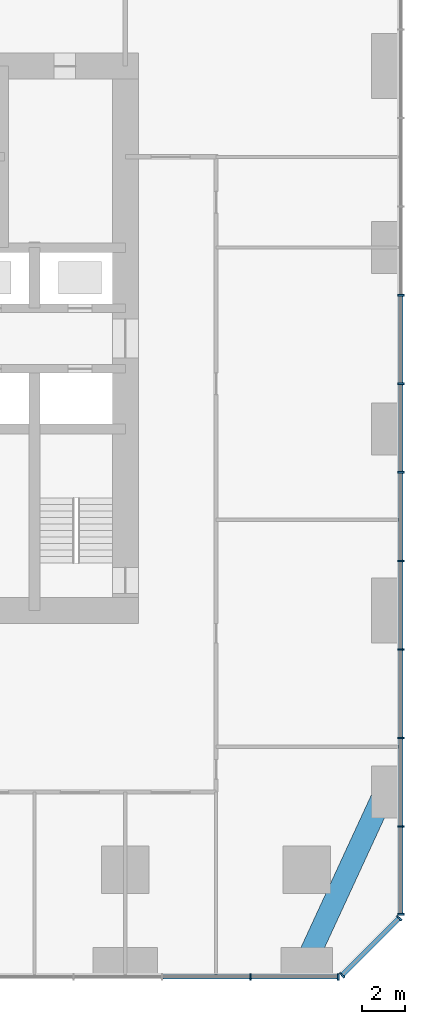
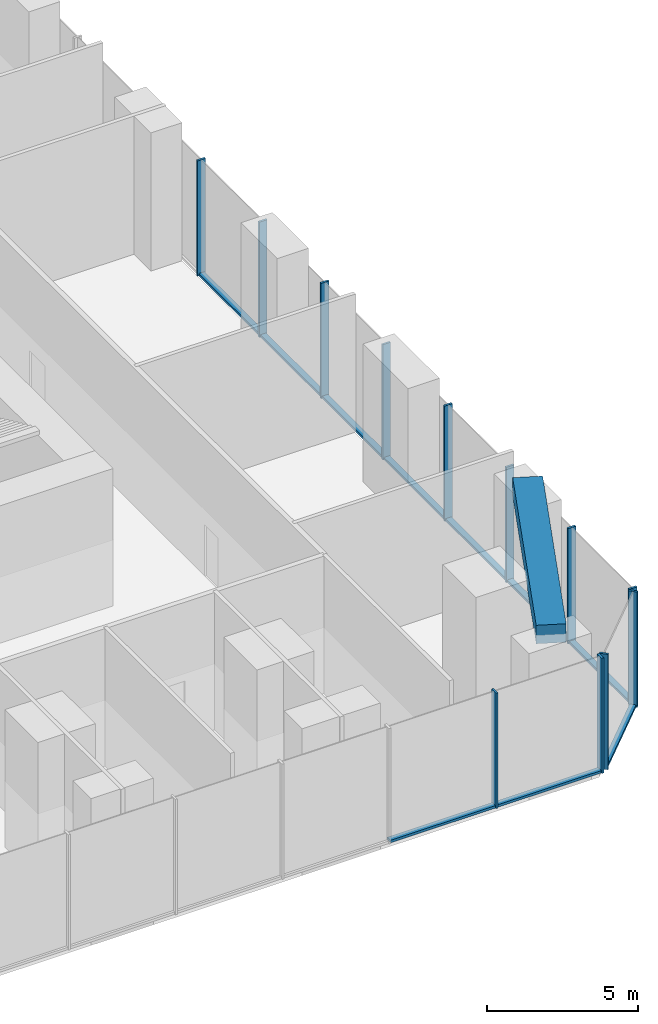
# One storey, part 3 of 13: 22 members, 1 beam, 3 elements without a shape of their own.
"""IFC4 building model written with IfcOpenShell, lengths in metres."""

from ifc_helpers import new_model, si_unit, direction, frame, origin, origin_2d, place, context, subcontext, project, spatial, rectangle, extrude, material, material_profile, profile_set, type_object, element, aggregate, save


model = new_model("IFC4")

# Units and contexts
model_context = context("Model", 3, precision=1e-05, world=origin(), true_north=direction((0.0, 1.0)))
body_context = subcontext(model_context, "Body", "Model", "MODEL_VIEW")
ifc_project = project(units=[si_unit("LENGTHUNIT", "METRE"), si_unit("AREAUNIT", "SQUARE_METRE"), si_unit("VOLUMEUNIT", "CUBIC_METRE"), si_unit("PLANEANGLEUNIT", "RADIAN"), si_unit("MASSUNIT", "GRAM", prefix="KILO")], contexts=[model_context])

# Site, building, storey
site_placement = place(None, origin())
site = spatial("IfcSite", under=ifc_project, at=site_placement, CompositionType="ELEMENT")
building_placement = place(site_placement, origin())
building = spatial("IfcBuilding", under=site, at=building_placement, Name="Dunama Terrace Hotel", CompositionType="ELEMENT")
storey_placement = place(building_placement, frame((0.0, 0.0, 147.60009765625)))
storey = spatial("IfcBuildingStorey", under=building, at=storey_placement, Name="L38", CompositionType="ELEMENT", Elevation=147.60009765625)

# Curtain wall, members
ifc_material_1 = material(Name="Aluminium curtain wall system", Category="aluminium")
curtain_wall_type = type_object("IfcCurtainWallType", Name="Sky lobby glazing CW-F", PredefinedType="NOTDEFINED", material=ifc_material_1)
curtain_wall_1_placement = place(storey_placement, origin())
curtain_wall_1 = element("IfcCurtainWall", 1, at=curtain_wall_1_placement, inside=storey, type_object=curtain_wall_type, Name="Sky lobby glazing CW-F L38", PredefinedType="NOTDEFINED")
ifc_material_2 = material(Name="Aluminium mullion", Category="aluminium")
ifc_material_profile_1 = material_profile(ifc_material_2, rectangle(XDim=0.080078125, YDim=0.300048828125, at=origin_2d()), Name="CWF MULLION 80X300")
ifc_profile_set_1 = profile_set([ifc_material_profile_1], Name="Aluminium mullion")
member_type_1 = type_object("IfcMemberType", Name="CWF mullion 80x300", PredefinedType="MULLION", material=ifc_profile_set_1)
member_1_placement = place(storey_placement, frame((47.800048828125, -0.14990234375, 0.0), z_axis=(0.0, 0.0, 1.0), x_axis=(1.0, 0.0, 0.0)))
member_1 = element("IfcMember", 2, at=member_1_placement, type_object=member_type_1, Name="CWF mullion", PredefinedType="MULLION", context=body_context, shape_type="SweptSolid", body=[
    extrude(rectangle(XDim=0.080078125, YDim=0.300048828125, at=origin_2d()), origin(), (0.0, 0.0, 1.0), 4.678955078125),
])
member_2_placement = place(storey_placement, frame((51.860107421875, -0.14990234375, 0.0), z_axis=(0.0, 0.0, 1.0), x_axis=(1.0, 0.0, 0.0)))
member_2 = element("IfcMember", 3, at=member_2_placement, type_object=member_type_1, Name="CWF mullion", PredefinedType="MULLION", context=body_context, shape_type="SweptSolid", body=[
    extrude(rectangle(XDim=0.080078125, YDim=0.300048828125, at=origin_2d()), origin(), (0.0, 0.0, 1.0), 4.678955078125),
])

curtain_wall_2_placement = place(storey_placement, origin())
curtain_wall_2 = element("IfcCurtainWall", 4, at=curtain_wall_2_placement, inside=storey, type_object=curtain_wall_type, Name="Sky lobby glazing CW-F L38", PredefinedType="NOTDEFINED")
member_3_placement = place(storey_placement, frame((52.033935546875, -0.077880859375, 0.0), z_axis=(0.0, 0.0, 1.0), x_axis=(0.707106781187, 0.707106781187, 0.0)))
member_3 = element("IfcMember", 5, at=member_3_placement, type_object=member_type_1, Name="CWF mullion", PredefinedType="MULLION", context=body_context, shape_type="SweptSolid", body=[
    extrude(rectangle(XDim=0.080078125, YDim=0.300048828125, at=origin_2d()), origin(), (0.0, 0.0, 1.0), 4.678955078125),
])
member_4_placement = place(storey_placement, frame((54.677978515625, 2.56591796875, 0.0), z_axis=(0.0, 0.0, 1.0), x_axis=(0.707106781187, 0.707106781187, 0.0)))
member_4 = element("IfcMember", 6, at=member_4_placement, type_object=member_type_1, Name="CWF mullion", PredefinedType="MULLION", context=body_context, shape_type="SweptSolid", body=[
    extrude(rectangle(XDim=0.080078125, YDim=0.300048828125, at=origin_2d()), origin(), (0.0, 0.0, 1.0), 4.678955078125),
])

curtain_wall_3_placement = place(storey_placement, origin())
curtain_wall_3 = element("IfcCurtainWall", 7, at=curtain_wall_3_placement, inside=storey, type_object=curtain_wall_type, Name="Sky lobby glazing CW-F L38", PredefinedType="NOTDEFINED")
member_5_placement = place(storey_placement, frame((54.75, 2.739990234375, 0.0), z_axis=(0.0, 0.0, 1.0), x_axis=(0.0, 1.0, 0.0)))
member_5 = element("IfcMember", 8, at=member_5_placement, type_object=member_type_1, Name="CWF mullion", PredefinedType="MULLION", context=body_context, shape_type="SweptSolid", body=[
    extrude(rectangle(XDim=0.080078125, YDim=0.300048828125, at=origin_2d()), origin(), (0.0, 0.0, 1.0), 4.678955078125),
])
member_6_placement = place(storey_placement, frame((54.75, 6.800048828125, 0.0), z_axis=(0.0, 0.0, 1.0), x_axis=(0.0, 1.0, 0.0)))
member_6 = element("IfcMember", 9, at=member_6_placement, type_object=member_type_1, Name="CWF mullion", PredefinedType="MULLION", context=body_context, shape_type="SweptSolid", body=[
    extrude(rectangle(XDim=0.080078125, YDim=0.300048828125, at=origin_2d()), origin(), (0.0, 0.0, 1.0), 4.678955078125),
])
member_7_placement = place(storey_placement, frame((54.75, 10.89990234375, 0.0), z_axis=(0.0, 0.0, 1.0), x_axis=(0.0, 1.0, 0.0)))
member_7 = element("IfcMember", 10, at=member_7_placement, type_object=member_type_1, Name="CWF mullion", PredefinedType="MULLION", context=body_context, shape_type="SweptSolid", body=[
    extrude(rectangle(XDim=0.080078125, YDim=0.300048828125, at=origin_2d()), origin(), (0.0, 0.0, 1.0), 4.678955078125),
])
member_8_placement = place(storey_placement, frame((54.75, 15.0, 0.0), z_axis=(0.0, 0.0, 1.0), x_axis=(0.0, 1.0, 0.0)))
member_8 = element("IfcMember", 11, at=member_8_placement, type_object=member_type_1, Name="CWF mullion", PredefinedType="MULLION", context=body_context, shape_type="SweptSolid", body=[
    extrude(rectangle(XDim=0.080078125, YDim=0.300048828125, at=origin_2d()), origin(), (0.0, 0.0, 1.0), 4.678955078125),
])
member_9_placement = place(storey_placement, frame((54.75, 19.10009765625, 0.0), z_axis=(0.0, 0.0, 1.0), x_axis=(0.0, 1.0, 0.0)))
member_9 = element("IfcMember", 12, at=member_9_placement, type_object=member_type_1, Name="CWF mullion", PredefinedType="MULLION", context=body_context, shape_type="SweptSolid", body=[
    extrude(rectangle(XDim=0.080078125, YDim=0.300048828125, at=origin_2d()), origin(), (0.0, 0.0, 1.0), 4.678955078125),
])
member_10_placement = place(storey_placement, frame((54.75, 23.199951171875, 0.0), z_axis=(0.0, 0.0, 1.0), x_axis=(0.0, 1.0, 0.0)))
member_10 = element("IfcMember", 13, at=member_10_placement, type_object=member_type_1, Name="CWF mullion", PredefinedType="MULLION", context=body_context, shape_type="SweptSolid", body=[
    extrude(rectangle(XDim=0.080078125, YDim=0.300048828125, at=origin_2d()), origin(), (0.0, 0.0, 1.0), 4.678955078125),
])
member_11_placement = place(storey_placement, frame((54.75, 27.300048828125, 0.0), z_axis=(0.0, 0.0, 1.0), x_axis=(0.0, 1.0, 0.0)))
member_11 = element("IfcMember", 14, at=member_11_placement, type_object=member_type_1, Name="CWF mullion", PredefinedType="MULLION", context=body_context, shape_type="SweptSolid", body=[
    extrude(rectangle(XDim=0.080078125, YDim=0.300048828125, at=origin_2d()), origin(), (0.0, 0.0, 1.0), 4.678955078125),
])
member_12_placement = place(storey_placement, frame((54.75, 31.39990234375, 0.0), z_axis=(0.0, 0.0, 1.0), x_axis=(0.0, 1.0, 0.0)))
member_12 = element("IfcMember", 15, at=member_12_placement, type_object=member_type_1, Name="CWF mullion", PredefinedType="MULLION", context=body_context, shape_type="SweptSolid", body=[
    extrude(rectangle(XDim=0.080078125, YDim=0.300048828125, at=origin_2d()), origin(), (0.0, 0.0, 1.0), 4.678955078125),
])

# Member
ifc_material_3 = material(Name="Aluminium transom", Category="aluminium")
ifc_material_profile_2 = material_profile(ifc_material_3, rectangle(XDim=0.219970703125, YDim=0.10009765625, at=origin_2d()), Name="CWF TRANSOM 220X100")
ifc_profile_set_2 = profile_set([ifc_material_profile_2], Name="Aluminium transom")
member_type_2 = type_object("IfcMemberType", Name="CWF transom 220x100", PredefinedType="USERDEFINED", material=ifc_profile_set_2)
member_13_placement = place(storey_placement, frame((43.739990234375, -0.14990234375, 0.0498046875), z_axis=(1.0, 0.0, 0.0), x_axis=(0.0, 1.0, 0.0)))
member_13 = element("IfcMember", 16, at=member_13_placement, type_object=member_type_2, Name="CWF transom", ObjectType="TRANSOM", PredefinedType="USERDEFINED", context=body_context, shape_type="SweptSolid", body=[
    extrude(rectangle(XDim=0.219970703125, YDim=0.10009765625, at=origin_2d()), origin(), (0.0, 0.0, 1.0), 4.02001953125),
])

member_14_placement = place(storey_placement, frame((47.840087890625, -0.14990234375, 0.0498046875), z_axis=(1.0, 0.0, 0.0), x_axis=(0.0, 1.0, 0.0)))
member_14 = element("IfcMember", 17, at=member_14_placement, type_object=member_type_2, Name="CWF transom", ObjectType="TRANSOM", PredefinedType="USERDEFINED", context=body_context, shape_type="SweptSolid", body=[
    extrude(rectangle(XDim=0.219970703125, YDim=0.10009765625, at=origin_2d()), origin(), (0.0, 0.0, 1.0), 3.97998046875),
])

aggregate(curtain_wall_1, [member_1, member_2, member_13, member_14])

member_15_placement = place(storey_placement, frame((52.06298828125, -0.049072265625, 0.0498046875), z_axis=(0.707073402689, 0.707140158108, 0.0), x_axis=(-0.707140158108, 0.707073402689, 0.0)))
member_15 = element("IfcMember", 18, at=member_15_placement, type_object=member_type_2, Name="CWF transom", ObjectType="TRANSOM", PredefinedType="USERDEFINED", context=body_context, shape_type="SweptSolid", body=[
    extrude(rectangle(XDim=0.219970703125, YDim=0.10009765625, at=origin_2d()), origin(), (0.0, 0.0, 1.0), 3.6572265625),
])

aggregate(curtain_wall_2, [member_3, member_4, member_15])

member_16_placement = place(storey_placement, frame((54.75, 2.780029296875, 0.0498046875), z_axis=(0.0, 1.0, 0.0), x_axis=(-1.0, 0.0, 0.0)))
member_16 = element("IfcMember", 19, at=member_16_placement, type_object=member_type_2, Name="CWF transom", ObjectType="TRANSOM", PredefinedType="USERDEFINED", context=body_context, shape_type="SweptSolid", body=[
    extrude(rectangle(XDim=0.219970703125, YDim=0.10009765625, at=origin_2d()), origin(), (0.0, 0.0, 1.0), 3.97998046875),
])

member_17_placement = place(storey_placement, frame((54.75, 6.840087890625, 0.0498046875), z_axis=(0.0, 1.0, 0.0), x_axis=(-1.0, 0.0, 0.0)))
member_17 = element("IfcMember", 20, at=member_17_placement, type_object=member_type_2, Name="CWF transom", ObjectType="TRANSOM", PredefinedType="USERDEFINED", context=body_context, shape_type="SweptSolid", body=[
    extrude(rectangle(XDim=0.219970703125, YDim=0.10009765625, at=origin_2d()), origin(), (0.0, 0.0, 1.0), 4.02001953125),
])

member_18_placement = place(storey_placement, frame((54.75, 10.93994140625, 0.0498046875), z_axis=(0.0, 1.0, 0.0), x_axis=(-1.0, 0.0, 0.0)))
member_18 = element("IfcMember", 21, at=member_18_placement, type_object=member_type_2, Name="CWF transom", ObjectType="TRANSOM", PredefinedType="USERDEFINED", context=body_context, shape_type="SweptSolid", body=[
    extrude(rectangle(XDim=0.219970703125, YDim=0.10009765625, at=origin_2d()), origin(), (0.0, 0.0, 1.0), 4.02001953125),
])

member_19_placement = place(storey_placement, frame((54.75, 15.0400390625, 0.0498046875), z_axis=(0.0, 1.0, 0.0), x_axis=(-1.0, 0.0, 0.0)))
member_19 = element("IfcMember", 22, at=member_19_placement, type_object=member_type_2, Name="CWF transom", ObjectType="TRANSOM", PredefinedType="USERDEFINED", context=body_context, shape_type="SweptSolid", body=[
    extrude(rectangle(XDim=0.219970703125, YDim=0.10009765625, at=origin_2d()), origin(), (0.0, 0.0, 1.0), 4.02001953125),
])

member_20_placement = place(storey_placement, frame((54.75, 19.139892578125, 0.0498046875), z_axis=(0.0, 1.0, 0.0), x_axis=(-1.0, 0.0, 0.0)))
member_20 = element("IfcMember", 23, at=member_20_placement, type_object=member_type_2, Name="CWF transom", ObjectType="TRANSOM", PredefinedType="USERDEFINED", context=body_context, shape_type="SweptSolid", body=[
    extrude(rectangle(XDim=0.219970703125, YDim=0.10009765625, at=origin_2d()), origin(), (0.0, 0.0, 1.0), 4.02001953125),
])

member_21_placement = place(storey_placement, frame((54.75, 23.239990234375, 0.0498046875), z_axis=(0.0, 1.0, 0.0), x_axis=(-1.0, 0.0, 0.0)))
member_21 = element("IfcMember", 24, at=member_21_placement, type_object=member_type_2, Name="CWF transom", ObjectType="TRANSOM", PredefinedType="USERDEFINED", context=body_context, shape_type="SweptSolid", body=[
    extrude(rectangle(XDim=0.219970703125, YDim=0.10009765625, at=origin_2d()), origin(), (0.0, 0.0, 1.0), 4.02001953125),
])

member_22_placement = place(storey_placement, frame((54.75, 27.340087890625, 0.0498046875), z_axis=(0.0, 1.0, 0.0), x_axis=(-1.0, 0.0, 0.0)))
member_22 = element("IfcMember", 25, at=member_22_placement, type_object=member_type_2, Name="CWF transom", ObjectType="TRANSOM", PredefinedType="USERDEFINED", context=body_context, shape_type="SweptSolid", body=[
    extrude(rectangle(XDim=0.219970703125, YDim=0.10009765625, at=origin_2d()), origin(), (0.0, 0.0, 1.0), 4.02001953125),
])

aggregate(curtain_wall_3, [member_5, member_6, member_7, member_8, member_9, member_10, member_11, member_12, member_16, member_17, member_18, member_19, member_20, member_21, member_22])

# Beam
ifc_material_4 = material(Name="Concrete C50/60", Category="concrete")
ifc_material_profile_3 = material_profile(ifc_material_4, rectangle(XDim=1.0, YDim=0.75, at=origin_2d()), Name="RC 1000x750")
ifc_profile_set_3 = profile_set([ifc_material_profile_3], Name="Concrete C50/60")
beam_type = type_object("IfcBeamType", Name="Edge beam RC 1000x750", PredefinedType="SPANDREL", material=ifc_profile_set_3)
beam_placement = place(storey_placement, frame((50.39990234375, 0.60009765625, 5.625), z_axis=(0.419076199598, 0.907951066374, 0.0), x_axis=(-0.907951066374, 0.419076199598, 0.0)))
element("IfcBeam", 26, at=beam_placement, inside=storey, type_object=beam_type, Name="Corner edge beam under L39", PredefinedType="SPANDREL", context=body_context, shape_type="SweptSolid", body=[
    extrude(rectangle(XDim=1.0, YDim=0.75, at=origin_2d()), origin(), (0.0, 0.0, 1.0), 8.590576171875),
])

save(model, "model.ifc")
